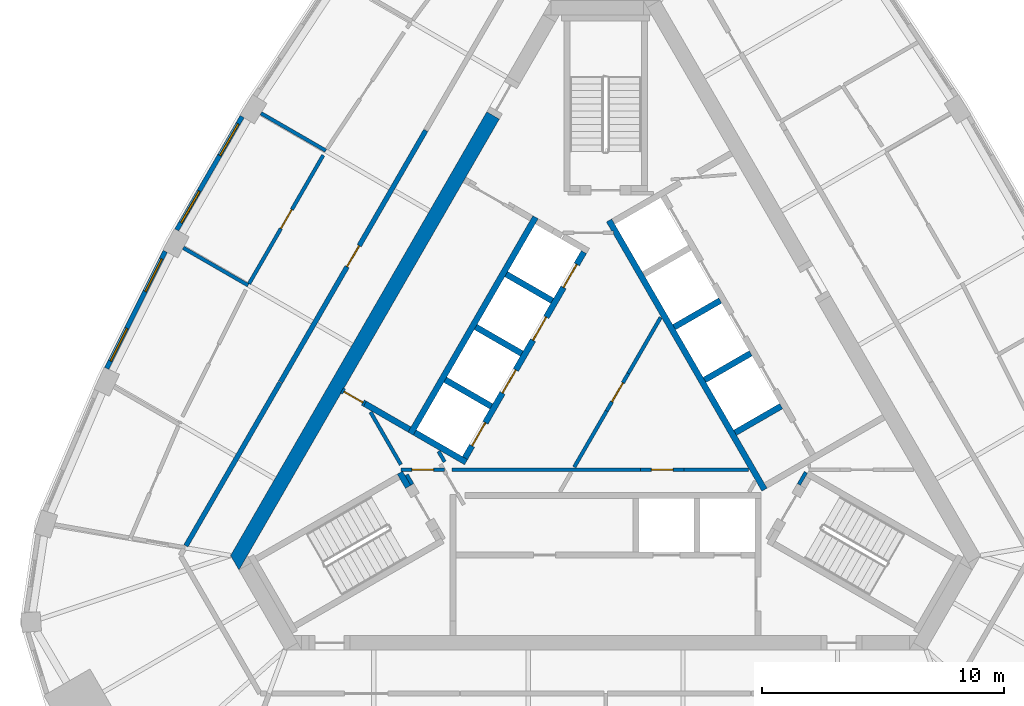
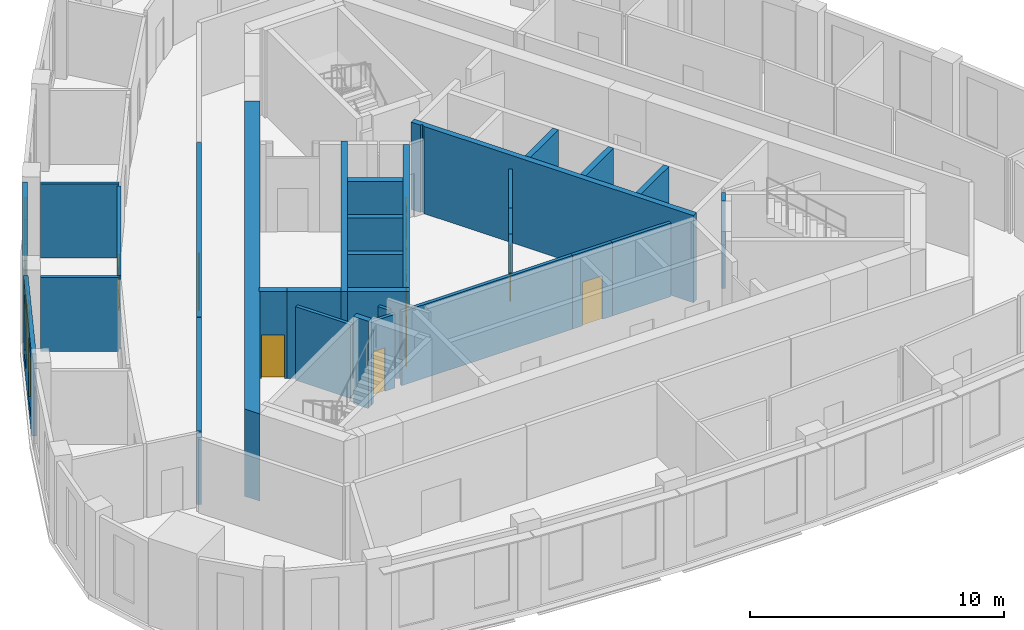
# One storey, part 5 of 10: 32 walls, 10 doors, 4 windows, 14 openings.
"""IFC4 building model written with IfcOpenShell, lengths in metres."""

from ifc_helpers import new_model, si_unit, direction, frame, frame_2d, origin, place, context, subcontext, project, spatial, polyline, rectangle, outline, extrude, material, layer, layer_set, type_object, element, fill, save


model = new_model("IFC4")

# Units and contexts
model_context = context("Model", 3, precision=1e-05, world=origin(), true_north=direction((0.0, 1.0)))
body_context = subcontext(model_context, "Body", "Model", "MODEL_VIEW")
ifc_project = project(units=[si_unit("LENGTHUNIT", "METRE"), si_unit("AREAUNIT", "SQUARE_METRE"), si_unit("VOLUMEUNIT", "CUBIC_METRE"), si_unit("PLANEANGLEUNIT", "RADIAN"), si_unit("MASSUNIT", "GRAM", prefix="KILO")], contexts=[model_context])

# Site, building, storey
site_placement = place(None, origin())
site = spatial("IfcSite", under=ifc_project, at=site_placement, CompositionType="ELEMENT")
building_placement = place(site_placement, origin())
building = spatial("IfcBuilding", under=site, at=building_placement, Name="Mestral Congress Tower", CompositionType="ELEMENT")
storey_placement = place(building_placement, frame((0.0, 0.0, 292.199951171875)))
storey = spatial("IfcBuildingStorey", under=building, at=storey_placement, Name="L68", CompositionType="ELEMENT", Elevation=292.199951171875)

# Walls
ifc_material_1 = material(Name="Fire-rated board partition")
ifc_layer_1 = layer(ifc_material_1, 0.14990234375)
ifc_layer_set_1 = layer_set([ifc_layer_1], Name="Fire-rated board partition")
wall_type_1 = type_object("IfcWallType", Name="Core partition 150", PredefinedType="PARTITIONING", material=ifc_layer_set_1)
wall_1_placement = place(storey_placement, frame((-9.717529296875, -0.41748046875, 0.0), z_axis=(0.0, 0.0, 1.0), x_axis=(0.499966538646, -0.866044721844, 0.0)))
element("IfcWall", 1, at=wall_1_placement, inside=storey, type_object=wall_type_1, Name="L68 core wall", PredefinedType="PARTITIONING", context=body_context, shape_type="SweptSolid", body=[
    extrude(rectangle(XDim=2.510986328125, YDim=0.14990234375, at=frame_2d((1.25537109375, 0.0))), origin(), (0.0, 0.0, 1.0), 3.550048828125),
])
wall_2_placement = place(storey_placement, frame((0.94091796875, 1.179443359375, 0.0), z_axis=(0.0, 0.0, 1.0), x_axis=(0.499962406319, 0.866047107418, 0.0)))
element("IfcWall", 2, at=wall_2_placement, inside=storey, type_object=wall_type_1, Name="L68 core wall", PredefinedType="PARTITIONING", context=body_context, shape_type="SweptSolid", body=[
    extrude(rectangle(XDim=2.671630859375, YDim=0.14990234375, at=frame_2d((1.3359375, 0.0))), origin(), (0.0, 0.0, 1.0), 3.550048828125),
])
wall_3_placement = place(storey_placement, frame((1.438232421875, -2.800048828125, 0.0), z_axis=(0.0, 0.0, 1.0), x_axis=(-1.0, 0.0, 0.0)))
element("IfcWall", 3, at=wall_3_placement, inside=storey, type_object=wall_type_1, Name="L68 core wall", PredefinedType="PARTITIONING", context=body_context, shape_type="SweptSolid", body=[
    extrude(rectangle(XDim=7.78125, YDim=0.14990234375, at=frame_2d((3.890625, 0.0))), origin(), (0.0, 0.0, 1.0), 3.550048828125),
])
for number, where, z_axis, x_axis, name in (
    (4, (-1.295166015625, -2.693115234375, 0.0), (0.0, 0.0, 1.0), (0.500030943131, 0.866007538022, 0.0), "L68 core wall"),
    (5, (3.23828125, -2.800048828125, 0.0), (0.0, 0.0, 1.0), (1.0, 0.0, 0.0), "L68 core wall"),
):
    element("IfcWall", number, at=place(storey_placement, frame(where, z_axis=z_axis, x_axis=x_axis)), inside=storey, type_object=wall_type_1, Name=name, PredefinedType="PARTITIONING", context=body_context, shape_type="SweptSolid", body=[
        extrude(rectangle(XDim=2.671630859375, YDim=0.14990234375, at=frame_2d((1.3359375, 0.0))), origin(), (0.0, 0.0, 1.0), 3.550048828125),
    ])
wall_4_placement = place(storey_placement, frame((-6.65283203125, -2.476806640625, 0.0), z_axis=(0.0, 0.0, 1.0), x_axis=(-0.500002592159, 0.866023907196, 0.0)))
element("IfcWall", 6, at=wall_4_placement, inside=storey, type_object=wall_type_1, Name="L68 core wall", PredefinedType="PARTITIONING", context=body_context, shape_type="SweptSolid", body=[
    extrude(rectangle(XDim=0.5029296875, YDim=0.14990234375, at=frame_2d((0.25146484375, 0.0))), origin(), (0.0, 0.0, 1.0), 3.550048828125),
])
wall_5_placement = place(storey_placement, frame((-7.990234375, -3.41162109375, 0.0), z_axis=(0.0, 0.0, 1.0), x_axis=(-0.499858525911, 0.866107068482, 0.0)))
element("IfcWall", 7, at=wall_5_placement, inside=storey, type_object=wall_type_1, Name="L68 core wall", PredefinedType="PARTITIONING", context=body_context, shape_type="SweptSolid", body=[
    extrude(rectangle(XDim=0.466064453125, YDim=0.14990234375, at=frame_2d((0.23291015625, 0.0))), origin(), (0.0, 0.0, 1.0), 3.550048828125),
])

# Wall, opening, door
wall_6_placement = place(storey_placement, frame((0.040771484375, -0.37939453125, 0.0), z_axis=(0.0, 0.0, 1.0), x_axis=(0.499961193289, 0.866047807691, 0.0)))
wall_6 = element("IfcWall", 8, at=wall_6_placement, inside=storey, type_object=wall_type_1, Name="L68 door wall", PredefinedType="PARTITIONING", context=body_context, shape_type="SweptSolid", body=[
    extrude(rectangle(XDim=1.800048828125, YDim=0.14990234375, at=frame_2d((0.89990234375, 0.0))), origin(), (0.0, 0.0, 1.0), 3.550048828125),
])
opening_1_placement = place(wall_6_placement, frame((0.449951171875, 0.0, 0.0)))
opening_1 = element("IfcOpeningElement", 9, at=opening_1_placement, cuts=wall_6, Name="Opening SD-HUB0", PredefinedType="OPENING", context=body_context, shape_type="SweptSolid", body=[
    extrude(rectangle(XDim=0.89990234375, YDim=2.10009765625, at=frame_2d((0.449951171875, 1.050048828125))), frame((0.0, 0.0849609375, 0.0), z_axis=(0.0, -1.0, 0.0), x_axis=(1.0, 0.0, 0.0)), (0.0, 0.0, 1.0), 0.169921875),
])
ifc_material_2 = material(Name="Fire-rated steel door set", Category="steel")
door_type_1 = type_object("IfcDoorType", Name="Core door SR 900x2100", OperationType="SINGLE_SWING_LEFT", PredefinedType="DOOR", material=ifc_material_2)
door_1_placement = place(opening_1_placement, origin())
door_1 = element("IfcDoor", 10, at=door_1_placement, inside=storey, type_object=door_type_1, Name="Door SD-HUB0", OperationType="SINGLE_SWING_LEFT", OverallHeight=2.10009765625, OverallWidth=0.89990234375, PredefinedType="DOOR", context=body_context, shape_type="SweptSolid", body=[
    extrude(rectangle(XDim=0.89990234375, YDim=2.10009765625, at=frame_2d((0.449951171875, 1.050048828125))), frame((0.0, 0.02490234375, 0.0), z_axis=(0.0, -1.0, 0.0), x_axis=(1.0, 0.0, 0.0)), (0.0, 0.0, 1.0), 0.050048828125),
])
fill(opening_1, door_1)

wall_7_placement = place(storey_placement, frame((1.438232421875, -2.800048828125, 0.0), z_axis=(0.0, 0.0, 1.0), x_axis=(1.0, 0.0, 0.0)))
wall_7 = element("IfcWall", 11, at=wall_7_placement, inside=storey, type_object=wall_type_1, Name="L68 door wall", PredefinedType="PARTITIONING", context=body_context, shape_type="SweptSolid", body=[
    extrude(rectangle(XDim=1.800048828125, YDim=0.14990234375, at=frame_2d((0.89990234375, 0.0))), origin(), (0.0, 0.0, 1.0), 3.550048828125),
])
opening_2_placement = place(wall_7_placement, frame((0.449951171875, 0.0, 0.0)))
opening_2 = element("IfcOpeningElement", 12, at=opening_2_placement, cuts=wall_7, Name="Opening SD-HUB2", PredefinedType="OPENING", context=body_context, shape_type="SweptSolid", body=[
    extrude(rectangle(XDim=0.89990234375, YDim=2.10009765625, at=frame_2d((0.449951171875, 1.050048828125))), frame((0.0, 0.0849609375, 0.0), z_axis=(0.0, -1.0, 0.0), x_axis=(1.0, 0.0, 0.0)), (0.0, 0.0, 1.0), 0.169921875),
])
door_2_placement = place(opening_2_placement, origin())
door_2 = element("IfcDoor", 13, at=door_2_placement, inside=storey, type_object=door_type_1, Name="Door SD-HUB2", OperationType="SINGLE_SWING_LEFT", OverallHeight=2.10009765625, OverallWidth=0.89990234375, PredefinedType="DOOR", context=body_context, shape_type="SweptSolid", body=[
    extrude(rectangle(XDim=0.89990234375, YDim=2.10009765625, at=frame_2d((0.449951171875, 1.050048828125))), frame((0.0, 0.02490234375, 0.0), z_axis=(0.0, -1.0, 0.0), x_axis=(1.0, 0.0, 0.0)), (0.0, 0.0, 1.0), 0.050048828125),
])
fill(opening_2, door_2)

wall_8_placement = place(storey_placement, frame((-6.654541015625, -2.800048828125, 0.0), z_axis=(0.0, 0.0, 1.0), x_axis=(-1.0, 0.0, 0.0)))
wall_8 = element("IfcWall", 14, at=wall_8_placement, inside=storey, type_object=wall_type_1, Name="L68 door wall", PredefinedType="PARTITIONING", context=body_context, shape_type="SweptSolid", body=[
    extrude(rectangle(XDim=1.800048828125, YDim=0.14990234375, at=frame_2d((0.89990234375, 0.0))), origin(), (0.0, 0.0, 1.0), 3.550048828125),
])
opening_3_placement = place(wall_8_placement, frame((0.449951171875, 0.0, 0.0)))
opening_3 = element("IfcOpeningElement", 15, at=opening_3_placement, cuts=wall_8, Name="Opening SD-HUB5", PredefinedType="OPENING", context=body_context, shape_type="SweptSolid", body=[
    extrude(rectangle(XDim=0.89990234375, YDim=2.10009765625, at=frame_2d((0.449951171875, 1.050048828125))), frame((0.0, 0.0849609375, 0.0), z_axis=(0.0, -1.0, 0.0), x_axis=(1.0, 0.0, 0.0)), (0.0, 0.0, 1.0), 0.169921875),
])
door_3_placement = place(opening_3_placement, origin())
door_3 = element("IfcDoor", 16, at=door_3_placement, inside=storey, type_object=door_type_1, Name="Door SD-HUB5", OperationType="SINGLE_SWING_LEFT", OverallHeight=2.10009765625, OverallWidth=0.89990234375, PredefinedType="DOOR", context=body_context, shape_type="SweptSolid", body=[
    extrude(rectangle(XDim=0.89990234375, YDim=2.10009765625, at=frame_2d((0.449951171875, 1.050048828125))), frame((0.0, 0.02490234375, 0.0), z_axis=(0.0, -1.0, 0.0), x_axis=(1.0, 0.0, 0.0)), (0.0, 0.0, 1.0), 0.050048828125),
])
fill(opening_3, door_3)

# Wall
ifc_material_3 = material(Name="Concrete C60/75", Category="concrete")
ifc_layer_2 = layer(ifc_material_3, 0.60009765625)
ifc_layer_set_2 = layer_set([ifc_layer_2], Name="Concrete C60/75")
wall_type_2 = type_object("IfcWallType", Name="Core wall RC 600", PredefinedType="SOLIDWALL", material=ifc_layer_set_2)
placement = place(storey_placement, origin())
element("IfcWall", 17, at=placement, inside=storey, type_object=wall_type_2, Name="L68 core wall", PredefinedType="SOLIDWALL", context=body_context, shape_type="SweptSolid", body=[
    extrude(outline(polyline([(-15.501953125, -6.35009765625), (-4.912109375, 11.991943359375), (-4.392578125, 11.69189453125), (-10.814697265625, 0.568603515625), (-10.840087890625, 0.583251953125), (-10.840087890625, 0.583251953125), (-10.84033203125, 0.583251953125), (-10.96533203125, 0.36669921875), (-10.96533203125, 0.36669921875), (-10.965087890625, 0.36669921875), (-10.939697265625, 0.351806640625), (-11.03271484375, 0.19091796875), (-14.80908203125, -6.35009765625), (-15.155517578125, -6.949951171875), (-15.501953125, -6.35009765625)])), origin(), (0.0, 0.0, 1.0), 4.199951171875),
])

# Wall, openings, windows
ifc_material_4 = material(Name="Precast concrete C40/50 with limestone facing", Category="masonry")
ifc_layer_3 = layer(ifc_material_4, 0.18994140625)
ifc_layer_set_3 = layer_set([ifc_layer_3], Name="Precast concrete C40/50 with limestone facing")
wall_type_3 = type_object("IfcWallType", Name="Facade stone wall 190", PredefinedType="SOLIDWALL", material=ifc_layer_set_3)
wall_10_placement = place(storey_placement, frame((-15.025146484375, 11.7958984375, 0.0), z_axis=(0.0, 0.0, 1.0), x_axis=(-0.500024767483, -0.866011103799, 0.0)))
wall_10 = element("IfcWall", 18, at=wall_10_placement, inside=storey, type_object=wall_type_3, Name="Facade wall F2-02", PredefinedType="SOLIDWALL", context=body_context, shape_type="SweptSolid", body=[
    extrude(rectangle(XDim=5.406005859375, YDim=0.18994140625, at=frame_2d((2.703125, 0.0))), origin(), (0.0, 0.0, 1.0), 3.949951171875),
])
opening_4_placement = place(wall_10_placement, frame((0.346435546875, 0.0, 0.60009765625)))
opening_4 = element("IfcOpeningElement", 19, at=opening_4_placement, cuts=wall_10, Name="Opening W6", PredefinedType="OPENING", context=body_context, shape_type="SweptSolid", body=[
    extrude(rectangle(XDim=1.5, YDim=2.85009765625, at=frame_2d((0.75, 1.425048828125))), frame((0.0, 0.10498046875, 0.0), z_axis=(0.0, -1.0, 0.0), x_axis=(1.0, 0.0, 0.0)), (0.0, 0.0, 1.0), 0.2099609375),
])
opening_5_placement = place(wall_10_placement, frame((3.559326171875, 0.0, 0.60009765625)))
opening_5 = element("IfcOpeningElement", 20, at=opening_5_placement, cuts=wall_10, Name="Opening W6", PredefinedType="OPENING", context=body_context, shape_type="SweptSolid", body=[
    extrude(rectangle(XDim=1.5, YDim=2.85009765625, at=frame_2d((0.75, 1.425048828125))), frame((0.0, 0.10498046875, 0.0), z_axis=(0.0, -1.0, 0.0), x_axis=(1.0, 0.0, 0.0)), (0.0, 0.0, 1.0), 0.2099609375),
])
ifc_material_5 = material(Name="Clear low-emissivity double glazing", Category="glass")
window_type = type_object("IfcWindowType", Name="Facade punched window 1500 x 2850 sill 600", PartitioningType="SINGLE_PANEL", PredefinedType="WINDOW", material=ifc_material_5)
window_1_placement = place(opening_4_placement, origin())
window_1 = element("IfcWindow", 21, at=window_1_placement, inside=storey, type_object=window_type, Name="Window F2-02a", OverallHeight=2.85009765625, OverallWidth=1.5, PartitioningType="SINGLE_PANEL", PredefinedType="WINDOW", context=body_context, shape_type="SweptSolid", body=[
    extrude(rectangle(XDim=1.5, YDim=2.85009765625, at=frame_2d((0.75, 1.425048828125))), frame((0.0, 0.044921875, 0.0), z_axis=(0.0, -1.0, 0.0), x_axis=(1.0, 0.0, 0.0)), (0.0, 0.0, 1.0), 0.06005859375),
])
fill(opening_4, window_1)
window_2_placement = place(opening_5_placement, origin())
window_2 = element("IfcWindow", 22, at=window_2_placement, inside=storey, type_object=window_type, Name="Window F2-02b", OverallHeight=2.85009765625, OverallWidth=1.5, PartitioningType="SINGLE_PANEL", PredefinedType="WINDOW", context=body_context, shape_type="SweptSolid", body=[
    extrude(rectangle(XDim=1.5, YDim=2.85009765625, at=frame_2d((0.75, 1.425048828125))), frame((0.0, 0.044921875, 0.0), z_axis=(0.0, -1.0, 0.0), x_axis=(1.0, 0.0, 0.0)), (0.0, 0.0, 1.0), 0.06005859375),
])
fill(opening_5, window_2)

wall_11_placement = place(storey_placement, frame((-18.205810546875, 6.226806640625, 0.0), z_axis=(0.0, 0.0, 1.0), x_axis=(-0.447484531401, -0.894291671747, 0.0)))
wall_11 = element("IfcWall", 23, at=wall_11_placement, inside=storey, type_object=wall_type_3, Name="Facade wall F2-03", PredefinedType="SOLIDWALL", context=body_context, shape_type="SweptSolid", body=[
    extrude(rectangle(XDim=5.40625, YDim=0.18994140625, at=frame_2d((2.703125, 0.0))), origin(), (0.0, 0.0, 1.0), 3.949951171875),
])
opening_6_placement = place(wall_11_placement, frame((0.346435546875, 0.0, 0.60009765625)))
opening_6 = element("IfcOpeningElement", 24, at=opening_6_placement, cuts=wall_11, Name="Opening W6", PredefinedType="OPENING", context=body_context, shape_type="SweptSolid", body=[
    extrude(rectangle(XDim=1.5, YDim=2.85009765625, at=frame_2d((0.75, 1.425048828125))), frame((0.0, 0.10498046875, 0.0), z_axis=(0.0, -1.0, 0.0), x_axis=(1.0, 0.0, 0.0)), (0.0, 0.0, 1.0), 0.2099609375),
])
opening_7_placement = place(wall_11_placement, frame((3.559326171875, 0.0, 0.60009765625)))
opening_7 = element("IfcOpeningElement", 25, at=opening_7_placement, cuts=wall_11, Name="Opening W6", PredefinedType="OPENING", context=body_context, shape_type="SweptSolid", body=[
    extrude(rectangle(XDim=1.5, YDim=2.85009765625, at=frame_2d((0.75, 1.425048828125))), frame((0.0, 0.10498046875, 0.0), z_axis=(0.0, -1.0, 0.0), x_axis=(1.0, 0.0, 0.0)), (0.0, 0.0, 1.0), 0.2099609375),
])
window_3_placement = place(opening_6_placement, origin())
window_3 = element("IfcWindow", 26, at=window_3_placement, inside=storey, type_object=window_type, Name="Window F2-03a", OverallHeight=2.85009765625, OverallWidth=1.5, PartitioningType="SINGLE_PANEL", PredefinedType="WINDOW", context=body_context, shape_type="SweptSolid", body=[
    extrude(rectangle(XDim=1.5, YDim=2.85009765625, at=frame_2d((0.75, 1.425048828125))), frame((0.0, 0.044921875, 0.0), z_axis=(0.0, -1.0, 0.0), x_axis=(1.0, 0.0, 0.0)), (0.0, 0.0, 1.0), 0.06005859375),
])
fill(opening_6, window_3)
window_4_placement = place(opening_7_placement, origin())
window_4 = element("IfcWindow", 27, at=window_4_placement, inside=storey, type_object=window_type, Name="Window F2-03b", OverallHeight=2.85009765625, OverallWidth=1.5, PartitioningType="SINGLE_PANEL", PredefinedType="WINDOW", context=body_context, shape_type="SweptSolid", body=[
    extrude(rectangle(XDim=1.5, YDim=2.85009765625, at=frame_2d((0.75, 1.425048828125))), frame((0.0, 0.044921875, 0.0), z_axis=(0.0, -1.0, 0.0), x_axis=(1.0, 0.0, 0.0)), (0.0, 0.0, 1.0), 0.06005859375),
])
fill(opening_7, window_4)

# Walls
ifc_material_6 = material(Name="Plasterboard partition on steel studs", Category="steel")
ifc_layer_4 = layer(ifc_material_6, 0.14990234375)
ifc_layer_set_4 = layer_set([ifc_layer_4], Name="Plasterboard partition on steel studs")
wall_type_4 = type_object("IfcWallType", Name="Office partition 150", PredefinedType="PARTITIONING", material=ifc_layer_set_4)
for number, where, z_axis, x_axis, name in (
    (28, (-11.564208984375, 10.38671875, 0.0), (0.0, 0.0, 1.0), (-0.86604641216, 0.499963610661, 0.0), "Partition"),
    (29, (-14.77734375, 4.821533203125, 0.0), (0.0, 0.0, 1.0), (-0.865992557167, 0.500056887695, 0.0), "Partition"),
):
    element("IfcWall", number, at=place(storey_placement, frame(where, z_axis=z_axis, x_axis=x_axis)), inside=storey, type_object=wall_type_4, Name=name, PredefinedType="PARTITIONING", context=body_context, shape_type="SweptSolid", body=[
        extrude(rectangle(XDim=3.096435546875, YDim=0.14990234375, at=frame_2d((1.54833984375, 0.0))), origin(), (0.0, 0.0, 1.0), 3.550048828125),
    ])

# Wall, opening, door
wall_12_placement = place(storey_placement, frame((-14.73974609375, 4.88671875, 0.0), z_axis=(0.0, 0.0, 1.0), x_axis=(0.500007141444, 0.86602128063, 0.0)))
wall_12 = element("IfcWall", 30, at=wall_12_placement, inside=storey, type_object=wall_type_4, Name="Partition", PredefinedType="PARTITIONING", context=body_context, shape_type="SweptSolid", body=[
    extrude(rectangle(XDim=6.13671875, YDim=0.14990234375, at=frame_2d((3.068359375, 0.0))), origin(), (0.0, 0.0, 1.0), 3.550048828125),
])
opening_8_placement = place(wall_12_placement, frame((2.63671875, 0.0, 0.0)))
opening_8 = element("IfcOpeningElement", 31, at=opening_8_placement, cuts=wall_12, Name="Opening O13-014", PredefinedType="OPENING", context=body_context, shape_type="SweptSolid", body=[
    extrude(rectangle(XDim=0.89990234375, YDim=2.10009765625, at=frame_2d((0.449951171875, 1.050048828125))), frame((0.0, 0.0849609375, 0.0), z_axis=(0.0, -1.0, 0.0), x_axis=(1.0, 0.0, 0.0)), (0.0, 0.0, 1.0), 0.169921875),
])
ifc_material_7 = material(Name="Timber door set", Category="wood")
door_type_2 = type_object("IfcDoorType", Name="Office door 900x2100", OperationType="SINGLE_SWING_LEFT", PredefinedType="DOOR", material=ifc_material_7)
door_4_placement = place(opening_8_placement, origin())
door_4 = element("IfcDoor", 32, at=door_4_placement, inside=storey, type_object=door_type_2, Name="Door O13-014", OperationType="SINGLE_SWING_RIGHT", OverallHeight=2.10009765625, OverallWidth=0.89990234375, PredefinedType="DOOR", context=body_context, shape_type="SweptSolid", body=[
    extrude(rectangle(XDim=0.89990234375, YDim=2.10009765625, at=frame_2d((0.449951171875, 1.050048828125))), frame((0.0, 0.02490234375, 0.0), z_axis=(0.0, -1.0, 0.0), x_axis=(1.0, 0.0, 0.0)), (0.0, 0.0, 1.0), 0.050048828125),
])
fill(opening_8, door_4)

ifc_material_8 = material(Name="Dense masonry wall, plastered", Category="masonry")
ifc_layer_5 = layer(ifc_material_8, 0.199951171875)
ifc_layer_set_5 = layer_set([ifc_layer_5], Name="Dense masonry wall, plastered")
wall_type_5 = type_object("IfcWallType", Name="Office tenancy wall 200", PredefinedType="PARTITIONING", material=ifc_layer_set_5)
wall_13_placement = place(storey_placement, frame((-7.435546875, 11.22119140625, 0.0), z_axis=(0.0, 0.0, 1.0), x_axis=(-0.49999894854, -0.866026010844, 0.0)))
wall_13 = element("IfcWall", 33, at=wall_13_placement, inside=storey, type_object=wall_type_5, Name="Tenancy wall", PredefinedType="PARTITIONING", context=body_context, shape_type="SweptSolid", body=[
    extrude(rectangle(XDim=12.0, YDim=0.199951171875, at=frame_2d((6.0, 0.0))), origin(), (0.0, 0.0, 1.0), 3.550048828125),
])
opening_9_placement = place(wall_13_placement, frame((5.5, 0.0, 0.0)))
opening_9 = element("IfcOpeningElement", 34, at=opening_9_placement, cuts=wall_13, Name="Opening O13-017", PredefinedType="OPENING", context=body_context, shape_type="SweptSolid", body=[
    extrude(rectangle(XDim=1.0, YDim=2.10009765625, at=frame_2d((0.5, 1.050048828125))), frame((0.0, 0.10986328125, 0.0), z_axis=(0.0, -1.0, 0.0), x_axis=(1.0, 0.0, 0.0)), (0.0, 0.0, 1.0), 0.219970703125),
])
ifc_material_9 = material(Name="Fire-rated timber door set", Category="wood")
door_type_3 = type_object("IfcDoorType", Name="Office tenancy entrance door 1000x2100", OperationType="SINGLE_SWING_LEFT", PredefinedType="DOOR", material=ifc_material_9)
door_5_placement = place(opening_9_placement, origin())
door_5 = element("IfcDoor", 35, at=door_5_placement, inside=storey, type_object=door_type_3, Name="Door O13-017", OperationType="SINGLE_SWING_RIGHT", OverallHeight=2.10009765625, OverallWidth=1.0, PredefinedType="DOOR", context=body_context, shape_type="SweptSolid", body=[
    extrude(rectangle(XDim=1.0, YDim=2.10009765625, at=frame_2d((0.5, 1.050048828125))), frame((0.0, 0.02490234375, 0.0), z_axis=(0.0, -1.0, 0.0), x_axis=(1.0, 0.0, 0.0)), (0.0, 0.0, 1.0), 0.050048828125),
])
fill(opening_9, door_5)

# Walls
wall_14_placement = place(storey_placement, frame((-13.45068359375, 0.802978515625, 0.0), z_axis=(0.0, 0.0, 1.0), x_axis=(-0.499979102685, -0.866037468519, 0.0)))
element("IfcWall", 36, at=wall_14_placement, inside=storey, type_object=wall_type_5, Name="Tenancy wall", PredefinedType="PARTITIONING", context=body_context, shape_type="SweptSolid", body=[
    extrude(rectangle(XDim=7.795166015625, YDim=0.199951171875, at=frame_2d((3.8974609375, 0.0))), origin(), (0.0, 0.0, 1.0), 3.550048828125),
])
ifc_layer_6 = layer(ifc_material_3, 0.25)
ifc_layer_set_6 = layer_set([ifc_layer_6], Name="Concrete C60/75")
wall_type_6 = type_object("IfcWallType", Name="Shaft wall RC 250", PredefinedType="SOLIDWALL", material=ifc_layer_set_6)
element("IfcWall", 37, at=placement, inside=storey, type_object=wall_type_6, Name="L68 core wall", PredefinedType="SOLIDWALL", context=body_context, shape_type="SweptSolid", body=[
    extrude(outline(polyline([(0.33203125, 6.9248046875), (0.334716796875, 6.9248046875), (0.334716796875, 6.925048828125), (0.334716796875, 6.925048828125), (0.334716796875, 7.074951171875), (0.334716796875, 7.074951171875), (0.334716796875, 7.0751953125), (0.245361328125, 7.0751953125), (0.03515625, 7.439208984375), (0.251708984375, 7.564208984375), (0.376708984375, 7.34765625), (1.51171875, 5.3818359375), (1.63671875, 5.165283203125), (2.220947265625, 4.153076171875), (2.771484375, 3.199462890625), (2.896484375, 2.98291015625), (3.13818359375, 2.564208984375), (4.031494140625, 1.01708984375), (4.156494140625, 0.800537109375), (5.29150390625, -1.165283203125), (5.41650390625, -1.3818359375), (6.072998046875, -2.518798828125), (6.551513671875, -3.34765625), (6.676513671875, -3.564208984375), (6.460205078125, -3.689208984375), (0.33203125, 6.9248046875)])), origin(), (0.0, 0.0, 1.0), 4.199951171875),
])
for number, where, z_axis, x_axis, name in (
    (38, (2.833984375, 3.091064453125, 0.0), (0.0, 0.0, 1.0), (0.866008176907, 0.50002983664, 0.0), "L68 core wall"),
    (39, (4.093994140625, 0.90869140625, 0.0), (0.0, 0.0, 1.0), (0.866008176907, 0.50002983664, 0.0), "L68 core wall"),
    (40, (5.35400390625, -1.273681640625, 0.0), (0.0, 0.0, 1.0), (0.866008176907, 0.50002983664, 0.0), "L68 core wall"),
):
    element("IfcWall", number, at=place(storey_placement, frame(where, z_axis=z_axis, x_axis=x_axis)), inside=storey, type_object=wall_type_6, Name=name, PredefinedType="SOLIDWALL", context=body_context, shape_type="SweptSolid", body=[
        extrude(rectangle(XDim=2.199951171875, YDim=0.25, at=frame_2d((1.10009765625, 0.0))), origin(), (0.0, 0.0, 1.0), 4.199951171875),
    ])
wall_16_placement = place(storey_placement, frame((-8.06005859375, -1.310546875, 0.0), z_axis=(0.0, 0.0, 1.0), x_axis=(0.50000273126, 0.866023826885, 0.0)))
element("IfcWall", 41, at=wall_16_placement, inside=storey, type_object=wall_type_6, Name="L68 core wall", PredefinedType="SOLIDWALL", context=body_context, shape_type="SweptSolid", body=[
    extrude(rectangle(XDim=10.330078125, YDim=0.25, at=frame_2d((5.1650390625, 0.0))), origin(), (0.0, 0.0, 1.0), 4.199951171875),
])
for number, where, z_axis, x_axis, name in (
    (42, (-2.2041015625, 4.182373046875, 0.0), (0.0, 0.0, 1.0), (-0.866008176907, 0.50002983664, 0.0), "L68 core wall"),
    (43, (-5.369384765625, 3.10009765625, 0.0), (0.0, 0.0, 1.0), (0.866008176907, -0.50002983664, 0.0), "L68 core wall"),
    (44, (-4.72412109375, -0.182373046875, 0.0), (0.0, 0.0, 1.0), (-0.866008176907, 0.50002983664, 0.0), "L68 core wall"),
):
    element("IfcWall", number, at=place(storey_placement, frame(where, z_axis=z_axis, x_axis=x_axis)), inside=storey, type_object=wall_type_6, Name=name, PredefinedType="SOLIDWALL", context=body_context, shape_type="SweptSolid", body=[
        extrude(rectangle(XDim=2.199951171875, YDim=0.25, at=frame_2d((1.10009765625, 0.0))), origin(), (0.0, 0.0, 1.0), 4.199951171875),
    ])
wall_17_placement = place(storey_placement, frame((-7.889404296875, -1.264892578125, 0.0), z_axis=(0.0, 0.0, 1.0), x_axis=(0.866057815567, -0.499943856944, 0.0)))
element("IfcWall", 45, at=wall_17_placement, inside=storey, type_object=wall_type_6, Name="L68 core wall", PredefinedType="SOLIDWALL", context=body_context, shape_type="SweptSolid", body=[
    extrude(rectangle(XDim=2.449951171875, YDim=0.25, at=frame_2d((1.22509765625, 0.0))), origin(), (0.0, 0.0, 1.0), 4.199951171875),
])
wall_18_placement = place(storey_placement, frame((-9.949951171875, -0.074951171875, 0.0), z_axis=(0.0, 0.0, 1.0), x_axis=(0.865962177421, -0.500109495288, 0.0)))
element("IfcWall", 46, at=wall_18_placement, inside=storey, type_object=wall_type_6, Name="L68 core wall", PredefinedType="SOLIDWALL", context=body_context, shape_type="SweptSolid", body=[
    extrude(rectangle(XDim=2.12939453125, YDim=0.25, at=frame_2d((1.064697265625, 0.0))), origin(), (0.0, 0.0, 1.0), 4.199951171875),
])

# Wall, openings, doors
wall_19_placement = place(storey_placement, frame((-0.898193359375, 6.194091796875, 0.0), z_axis=(0.0, 0.0, 1.0), x_axis=(-0.499996202215, -0.866027596426, 0.0)))
wall_19 = element("IfcWall", 47, at=wall_19_placement, inside=storey, type_object=wall_type_6, Name="L68 door wall", PredefinedType="SOLIDWALL", context=body_context, shape_type="SweptSolid", body=[
    extrude(rectangle(XDim=9.830078125, YDim=0.25, at=frame_2d((4.9150390625, 0.0))), origin(), (0.0, 0.0, 1.0), 4.199951171875),
])
opening_10_placement = place(wall_19_placement, frame((0.5849609375, 0.0, 0.0)))
opening_10 = element("IfcOpeningElement", 48, at=opening_10_placement, cuts=wall_19, Name="Opening LD-NWB1", PredefinedType="OPENING", context=body_context, shape_type="SweptSolid", body=[
    extrude(rectangle(XDim=1.10009765625, YDim=2.10009765625, at=frame_2d((0.550048828125, 1.050048828125))), frame((0.0, 0.135009765625, 0.0), z_axis=(0.0, -1.0, 0.0), x_axis=(1.0, 0.0, 0.0)), (0.0, 0.0, 1.0), 0.27001953125),
])
opening_11_placement = place(wall_19_placement, frame((3.10498046875, 0.0, 0.0)))
opening_11 = element("IfcOpeningElement", 49, at=opening_11_placement, cuts=wall_19, Name="Opening LD-NWB2", PredefinedType="OPENING", context=body_context, shape_type="SweptSolid", body=[
    extrude(rectangle(XDim=1.10009765625, YDim=2.10009765625, at=frame_2d((0.550048828125, 1.050048828125))), frame((0.0, 0.135009765625, 0.0), z_axis=(0.0, -1.0, 0.0), x_axis=(1.0, 0.0, 0.0)), (0.0, 0.0, 1.0), 0.27001953125),
])
opening_12_placement = place(wall_19_placement, frame((5.625, 0.0, 0.0)))
opening_12 = element("IfcOpeningElement", 50, at=opening_12_placement, cuts=wall_19, Name="Opening LD-NWB3", PredefinedType="OPENING", context=body_context, shape_type="SweptSolid", body=[
    extrude(rectangle(XDim=1.10009765625, YDim=2.10009765625, at=frame_2d((0.550048828125, 1.050048828125))), frame((0.0, 0.135009765625, 0.0), z_axis=(0.0, -1.0, 0.0), x_axis=(1.0, 0.0, 0.0)), (0.0, 0.0, 1.0), 0.27001953125),
])
opening_13_placement = place(wall_19_placement, frame((8.14501953125, 0.0, 0.0)))
opening_13 = element("IfcOpeningElement", 51, at=opening_13_placement, cuts=wall_19, Name="Opening LD-NWB4", PredefinedType="OPENING", context=body_context, shape_type="SweptSolid", body=[
    extrude(rectangle(XDim=1.10009765625, YDim=2.10009765625, at=frame_2d((0.550048828125, 1.050048828125))), frame((0.0, 0.135009765625, 0.0), z_axis=(0.0, -1.0, 0.0), x_axis=(1.0, 0.0, 0.0)), (0.0, 0.0, 1.0), 0.27001953125),
])
door_type_4 = type_object("IfcDoorType", Name="Core door LD 1100x2100", OperationType="DOUBLE_DOOR_SLIDING", PredefinedType="DOOR", material=ifc_material_2)
door_6_placement = place(opening_10_placement, origin())
door_6 = element("IfcDoor", 52, at=door_6_placement, inside=storey, type_object=door_type_4, Name="Door LD-NWB1", OperationType="DOUBLE_DOOR_SLIDING", OverallHeight=2.10009765625, OverallWidth=1.10009765625, PredefinedType="DOOR", context=body_context, shape_type="SweptSolid", body=[
    extrude(rectangle(XDim=1.10009765625, YDim=2.10009765625, at=frame_2d((0.550048828125, 1.050048828125))), frame((0.0, 0.02490234375, 0.0), z_axis=(0.0, -1.0, 0.0), x_axis=(1.0, 0.0, 0.0)), (0.0, 0.0, 1.0), 0.050048828125),
])
fill(opening_10, door_6)
door_7_placement = place(opening_11_placement, origin())
door_7 = element("IfcDoor", 53, at=door_7_placement, inside=storey, type_object=door_type_4, Name="Door LD-NWB2", OperationType="DOUBLE_DOOR_SLIDING", OverallHeight=2.10009765625, OverallWidth=1.10009765625, PredefinedType="DOOR", context=body_context, shape_type="SweptSolid", body=[
    extrude(rectangle(XDim=1.10009765625, YDim=2.10009765625, at=frame_2d((0.550048828125, 1.050048828125))), frame((0.0, 0.02490234375, 0.0), z_axis=(0.0, -1.0, 0.0), x_axis=(1.0, 0.0, 0.0)), (0.0, 0.0, 1.0), 0.050048828125),
])
fill(opening_11, door_7)
door_8_placement = place(opening_12_placement, origin())
door_8 = element("IfcDoor", 54, at=door_8_placement, inside=storey, type_object=door_type_4, Name="Door LD-NWB3", OperationType="DOUBLE_DOOR_SLIDING", OverallHeight=2.10009765625, OverallWidth=1.10009765625, PredefinedType="DOOR", context=body_context, shape_type="SweptSolid", body=[
    extrude(rectangle(XDim=1.10009765625, YDim=2.10009765625, at=frame_2d((0.550048828125, 1.050048828125))), frame((0.0, 0.02490234375, 0.0), z_axis=(0.0, -1.0, 0.0), x_axis=(1.0, 0.0, 0.0)), (0.0, 0.0, 1.0), 0.050048828125),
])
fill(opening_12, door_8)
door_9_placement = place(opening_13_placement, origin())
door_9 = element("IfcDoor", 55, at=door_9_placement, inside=storey, type_object=door_type_4, Name="Door LD-NWB4", OperationType="DOUBLE_DOOR_SLIDING", OverallHeight=2.10009765625, OverallWidth=1.10009765625, PredefinedType="DOOR", context=body_context, shape_type="SweptSolid", body=[
    extrude(rectangle(XDim=1.10009765625, YDim=2.10009765625, at=frame_2d((0.550048828125, 1.050048828125))), frame((0.0, 0.02490234375, 0.0), z_axis=(0.0, -1.0, 0.0), x_axis=(1.0, 0.0, 0.0)), (0.0, 0.0, 1.0), 0.050048828125),
])
fill(opening_13, door_9)

# Wall, opening, door
wall_20_placement = place(storey_placement, frame((-9.9501953125, -0.074951171875, 0.0), z_axis=(0.0, 0.0, 1.0), x_axis=(-0.865952669392, 0.500125958508, 0.0)))
wall_20 = element("IfcWall", 56, at=wall_20_placement, inside=storey, type_object=wall_type_6, Name="L68 door wall", PredefinedType="SOLIDWALL", context=body_context, shape_type="SweptSolid", body=[
    extrude(rectangle(XDim=1.099853515625, YDim=0.25, at=frame_2d((0.5498046875, 0.0))), origin(), (0.0, 0.0, 1.0), 4.199951171875),
])
opening_14_placement = place(wall_20_placement, frame((0.10009765625, 0.0, 0.0)))
opening_14 = element("IfcOpeningElement", 57, at=opening_14_placement, cuts=wall_20, Name="Opening TD3", PredefinedType="OPENING", context=body_context, shape_type="SweptSolid", body=[
    extrude(rectangle(XDim=0.89990234375, YDim=2.10009765625, at=frame_2d((0.449951171875, 1.050048828125))), frame((0.0, 0.135009765625, 0.0), z_axis=(0.0, -1.0, 0.0), x_axis=(1.0, 0.0, 0.0)), (0.0, 0.0, 1.0), 0.27001953125),
])
door_10_placement = place(opening_14_placement, origin())
door_10 = element("IfcDoor", 58, at=door_10_placement, inside=storey, type_object=door_type_1, Name="Door TD3", OperationType="SINGLE_SWING_LEFT", OverallHeight=2.10009765625, OverallWidth=0.89990234375, PredefinedType="DOOR", context=body_context, shape_type="SweptSolid", body=[
    extrude(rectangle(XDim=0.89990234375, YDim=2.10009765625, at=frame_2d((0.449951171875, 1.050048828125))), frame((0.0, 0.02490234375, 0.0), z_axis=(0.0, -1.0, 0.0), x_axis=(1.0, 0.0, 0.0)), (0.0, 0.0, 1.0), 0.050048828125),
])
fill(opening_14, door_10)

# Walls
ifc_layer_7 = layer(ifc_material_3, 0.14990234375)
ifc_layer_set_7 = layer_set([ifc_layer_7], Name="Concrete C60/75")
wall_type_7 = type_object("IfcWallType", Name="Shaft wall RC 250 door-wall 150", PredefinedType="SOLIDWALL", material=ifc_layer_set_7)
wall_21_placement = place(storey_placement, frame((8.281494140625, -2.906982421875, 0.0), z_axis=(0.0, 0.0, 1.0), x_axis=(-0.500193841991, -0.86591346013, 0.0)))
element("IfcWall", 59, at=wall_21_placement, inside=storey, type_object=wall_type_7, Name="L68 core wall", PredefinedType="PARTITIONING", context=body_context, shape_type="SweptSolid", body=[
    extrude(rectangle(XDim=0.582763671875, YDim=0.14990234375, at=frame_2d((0.29150390625, 0.0))), origin(), (0.0, 0.0, 1.0), 4.199951171875),
])
ifc_layer_8 = layer(ifc_material_3, 0.25)
ifc_layer_set_8 = layer_set([ifc_layer_8], Name="Concrete C60/75")
wall_type_8 = type_object("IfcWallType", Name="Stair wall RC 250", PredefinedType="SOLIDWALL", material=ifc_layer_set_8)
wall_22_placement = place(storey_placement, frame((-8.1630859375, -3.51123046875, 0.0), z_axis=(0.0, 0.0, 1.0), x_axis=(-0.499994068514, 0.866028828302, 0.0)))
element("IfcWall", 60, at=wall_22_placement, inside=storey, type_object=wall_type_8, Name="L68 core wall", PredefinedType="SOLIDWALL", context=body_context, shape_type="SweptSolid", body=[
    extrude(rectangle(XDim=0.67431640625, YDim=0.25, at=frame_2d((0.337158203125, 0.0))), origin(), (0.0, 0.0, 1.0), 4.199951171875),
])

save(model, "model.ifc")
